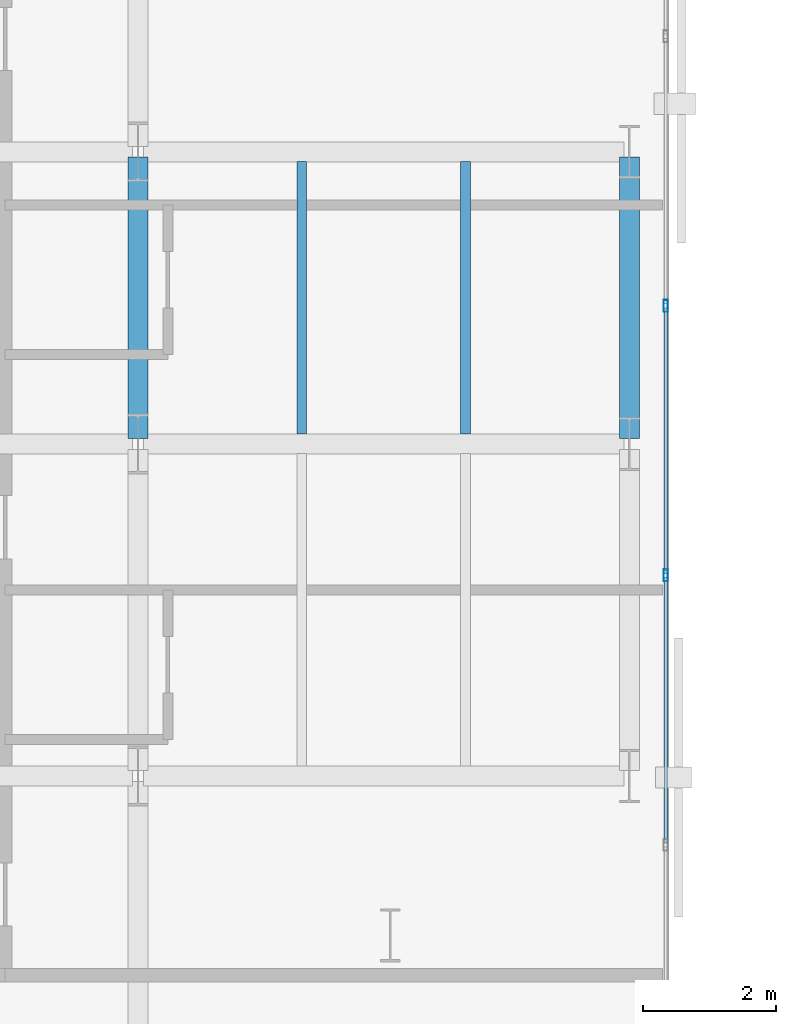
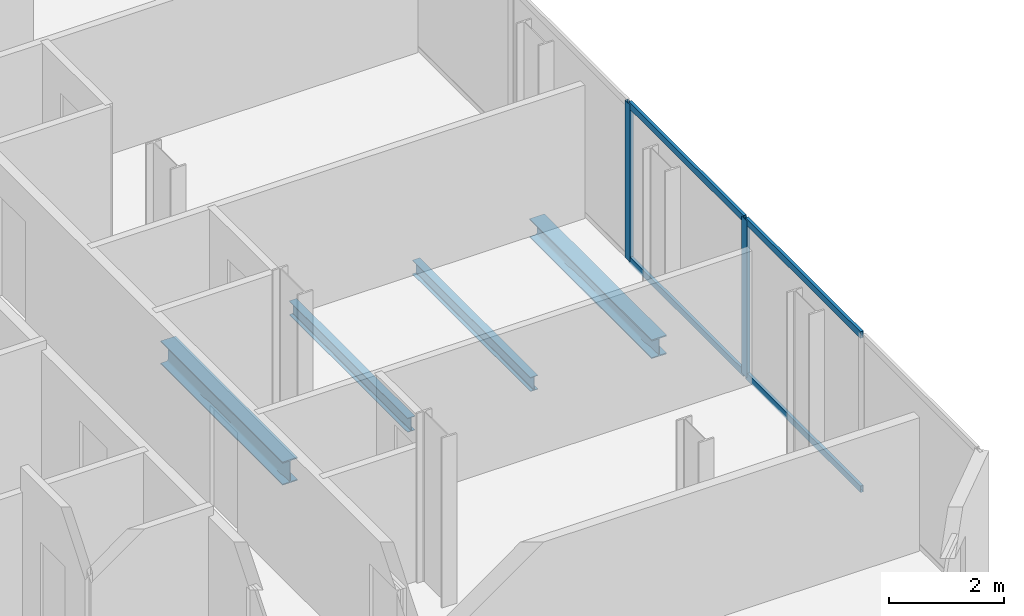
# One storey, part 8 of 33: 6 members, 4 beams, 1 element without a shape of its own.
"""IFC4 building model written with IfcOpenShell, lengths in metres."""

from ifc_helpers import new_model, si_unit, direction, frame, origin, origin_2d, place, context, subcontext, project, spatial, hollow_rectangle, i_section, extrude, material, layer, layer_set, material_profile, profile_set, type_object, element, aggregate, save


model = new_model("IFC4")

# Units and contexts
model_context = context("Model", 3, precision=1e-05, world=origin(), true_north=direction((0.0, 1.0)))
body_context = subcontext(model_context, "Body", "Model", "MODEL_VIEW")
ifc_project = project(units=[si_unit("LENGTHUNIT", "METRE"), si_unit("AREAUNIT", "SQUARE_METRE"), si_unit("VOLUMEUNIT", "CUBIC_METRE"), si_unit("PLANEANGLEUNIT", "RADIAN"), si_unit("MASSUNIT", "GRAM", prefix="KILO")], contexts=[model_context])

# Site, building, storey
site_placement = place(None, origin())
site = spatial("IfcSite", under=ifc_project, at=site_placement, CompositionType="ELEMENT")
building_placement = place(site_placement, origin())
building = spatial("IfcBuilding", under=site, at=building_placement, Name="Catumbela Crestline Tower", CompositionType="ELEMENT")
storey_placement = place(building_placement, frame((0.0, 0.0, 72.6)))
storey = spatial("IfcBuildingStorey", under=building, at=storey_placement, Name="L18", CompositionType="ELEMENT", Elevation=72.6)

# Beams
ifc_material_1 = material(Name="Structural steel S355J2", Category="steel")
ifc_material_profile_1 = material_profile(ifc_material_1, i_section(OverallWidth=0.3, OverallDepth=0.49, WebThickness=0.012, FlangeThickness=0.023, FilletRadius=0.027, at=origin_2d()), Name="HEA 500")
ifc_profile_set_1 = profile_set([ifc_material_profile_1], Name="Structural steel S355J2")
beam_type_1 = type_object("IfcBeamType", Name="BG-HEA500", PredefinedType="BEAM", material=ifc_profile_set_1)
beam_1_placement = place(storey_placement, frame((16.0, 13.68, -0.505), z_axis=(0.0, 1.0, 0.0), x_axis=(-1.0, 0.0, 0.0)))
element("IfcBeam", 1, at=beam_1_placement, inside=storey, type_object=beam_type_1, Name="L18 Beam BM-L18-WNS66", PredefinedType="BEAM", context=body_context, shape_type="SweptSolid", body=[
    extrude(i_section(OverallWidth=0.3, OverallDepth=0.49, WebThickness=0.012, FlangeThickness=0.023, FilletRadius=0.027, at=origin_2d()), origin(), (0.0, 0.0, 1.0), 4.24),
])
ifc_material_profile_2 = material_profile(ifc_material_1, i_section(OverallWidth=0.15, OverallDepth=0.3, WebThickness=0.0071, FlangeThickness=0.0107, FilletRadius=0.015, at=origin_2d()), Name="IPE 300")
ifc_profile_set_2 = profile_set([ifc_material_profile_2], Name="Structural steel S355J2")
beam_type_2 = type_object("IfcBeamType", Name="BJ-IPE300", PredefinedType="JOIST", material=ifc_profile_set_2)
for number, where, z_axis, x_axis, name in (
    (2, (18.467, 13.747, -0.41), (0.0, 1.0, 0.0), (-1.0, 0.0, 0.0), "L18 Joist JS-L18-WG80"),
    (3, (20.933, 13.747, -0.41), (0.0, 1.0, 0.0), (-1.0, 0.0, 0.0), "L18 Joist JS-L18-WG81"),
):
    element("IfcBeam", number, at=place(storey_placement, frame(where, z_axis=z_axis, x_axis=x_axis)), inside=storey, type_object=beam_type_2, Name=name, PredefinedType="JOIST", context=body_context, shape_type="SweptSolid", body=[
        extrude(i_section(OverallWidth=0.15, OverallDepth=0.3, WebThickness=0.0071, FlangeThickness=0.0107, FilletRadius=0.015, at=origin_2d()), origin(), (0.0, 0.0, 1.0), 4.106),
    ])

# Curtain wall, members
ifc_material_2 = material(Name="Aluminium alloy AW-6060-T66", Category="aluminium")
ifc_layer = layer(ifc_material_2, 0.18, Name="Aluminium alloy AW-6060-T66")
ifc_layer_set = layer_set([ifc_layer], Name="Aluminium alloy AW-6060-T66")
curtain_wall_type = type_object("IfcCurtainWallType", Name="CWU-Z1", PredefinedType="USERDEFINED", material=ifc_layer_set)
curtain_wall_placement = place(storey_placement, origin())
curtain_wall = element("IfcCurtainWall", 4, at=curtain_wall_placement, inside=storey, type_object=curtain_wall_type, Name="L18 Unitised Curtain Wall CW-L18-E2S1", ObjectType="UNITISED", PredefinedType="USERDEFINED")
ifc_material_profile_3 = material_profile(ifc_material_2, hollow_rectangle(XDim=0.065, YDim=0.18, WallThickness=0.004, at=origin_2d()), Name="ALU 180x65x4")
ifc_profile_set_3 = profile_set([ifc_material_profile_3], Name="Aluminium alloy AW-6060-T66")
member_type_1 = type_object("IfcMemberType", Name="MUL-180X65", PredefinedType="MULLION", material=ifc_profile_set_3)
member_1_placement = place(storey_placement, frame((23.95, 11.62, 0.0), z_axis=(0.0, 0.0, 1.0), x_axis=(-1.0, 0.0, 0.0)))
member_1 = element("IfcMember", 5, at=member_1_placement, type_object=member_type_1, Name="CWU-Z1 mullion 3", PredefinedType="MULLION", context=body_context, shape_type="SweptSolid", body=[
    extrude(hollow_rectangle(XDim=0.065, YDim=0.18, WallThickness=0.004, at=origin_2d()), origin(), (0.0, 0.0, 1.0), 3.33),
])
member_2_placement = place(storey_placement, frame((23.95, 15.68, 0.0), z_axis=(0.0, 0.0, 1.0), x_axis=(-1.0, 0.0, 0.0)))
member_2 = element("IfcMember", 6, at=member_2_placement, type_object=member_type_1, Name="CWU-Z1 mullion 4", PredefinedType="MULLION", context=body_context, shape_type="SweptSolid", body=[
    extrude(hollow_rectangle(XDim=0.065, YDim=0.18, WallThickness=0.004, at=origin_2d()), origin(), (0.0, 0.0, 1.0), 3.33),
])

# Beam
ifc_material_profile_4 = material_profile(ifc_material_1, i_section(OverallWidth=0.3, OverallDepth=0.4, WebThickness=0.0135, FlangeThickness=0.024, FilletRadius=0.027, at=origin_2d()), Name="HEB 400")
ifc_profile_set_4 = profile_set([ifc_material_profile_4], Name="Structural steel S355J2")
beam_type_3 = type_object("IfcBeamType", Name="BS-HEB400", PredefinedType="SPANDREL", material=ifc_profile_set_4)
beam_2_placement = place(storey_placement, frame((23.4, 13.68, -0.46), z_axis=(0.0, 1.0, 0.0), x_axis=(-1.0, 0.0, 0.0)))
element("IfcBeam", 7, at=beam_2_placement, inside=storey, type_object=beam_type_3, Name="L18 Spandrel SP-L18-WNS69", PredefinedType="SPANDREL", context=body_context, shape_type="SweptSolid", body=[
    extrude(i_section(OverallWidth=0.3, OverallDepth=0.4, WebThickness=0.0135, FlangeThickness=0.024, FilletRadius=0.027, at=origin_2d()), origin(), (0.0, 0.0, 1.0), 4.24),
])

# Member
ifc_material_profile_5 = material_profile(ifc_material_2, hollow_rectangle(XDim=0.06, YDim=0.14, WallThickness=0.004, at=origin_2d()), Name="ALU 140x60x4")
ifc_profile_set_5 = profile_set([ifc_material_profile_5], Name="Aluminium alloy AW-6060-T66")
member_type_2 = type_object("IfcMemberType", Name="TRN-140X60", PredefinedType="USERDEFINED", material=ifc_profile_set_5)
member_3_placement = place(storey_placement, frame((23.95, 7.5925, 0.03), z_axis=(0.0, 1.0, 0.0), x_axis=(-1.0, 0.0, 0.0)))
member_3 = element("IfcMember", 8, at=member_3_placement, type_object=member_type_2, Name="CWU-Z1 transom 2.1", ObjectType="TRANSOM", PredefinedType="USERDEFINED", context=body_context, shape_type="SweptSolid", body=[
    extrude(hollow_rectangle(XDim=0.06, YDim=0.14, WallThickness=0.004, at=origin_2d()), origin(), (0.0, 0.0, 1.0), 3.995),
])

member_4_placement = place(storey_placement, frame((23.95, 7.5925, 3.3), z_axis=(0.0, 1.0, 0.0), x_axis=(-1.0, 0.0, 0.0)))
member_4 = element("IfcMember", 9, at=member_4_placement, type_object=member_type_2, Name="CWU-Z1 transom 2.2", ObjectType="TRANSOM", PredefinedType="USERDEFINED", context=body_context, shape_type="SweptSolid", body=[
    extrude(hollow_rectangle(XDim=0.06, YDim=0.14, WallThickness=0.004, at=origin_2d()), origin(), (0.0, 0.0, 1.0), 3.995),
])

member_5_placement = place(storey_placement, frame((23.95, 11.6525, 0.03), z_axis=(0.0, 1.0, 0.0), x_axis=(-1.0, 0.0, 0.0)))
member_5 = element("IfcMember", 10, at=member_5_placement, type_object=member_type_2, Name="CWU-Z1 transom 3.1", ObjectType="TRANSOM", PredefinedType="USERDEFINED", context=body_context, shape_type="SweptSolid", body=[
    extrude(hollow_rectangle(XDim=0.06, YDim=0.14, WallThickness=0.004, at=origin_2d()), origin(), (0.0, 0.0, 1.0), 3.995),
])

member_6_placement = place(storey_placement, frame((23.95, 11.6525, 3.3), z_axis=(0.0, 1.0, 0.0), x_axis=(-1.0, 0.0, 0.0)))
member_6 = element("IfcMember", 11, at=member_6_placement, type_object=member_type_2, Name="CWU-Z1 transom 3.2", ObjectType="TRANSOM", PredefinedType="USERDEFINED", context=body_context, shape_type="SweptSolid", body=[
    extrude(hollow_rectangle(XDim=0.06, YDim=0.14, WallThickness=0.004, at=origin_2d()), origin(), (0.0, 0.0, 1.0), 3.995),
])

aggregate(curtain_wall, [member_1, member_2, member_3, member_4, member_5, member_6])

save(model, "model.ifc")
